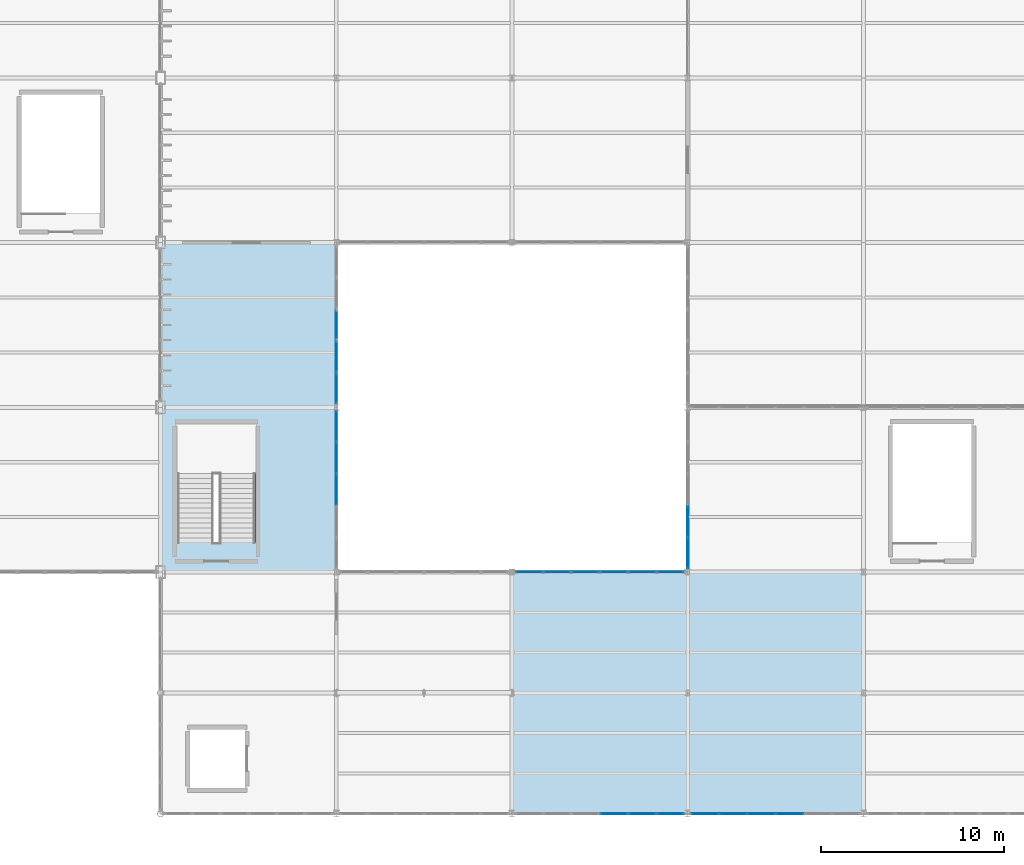
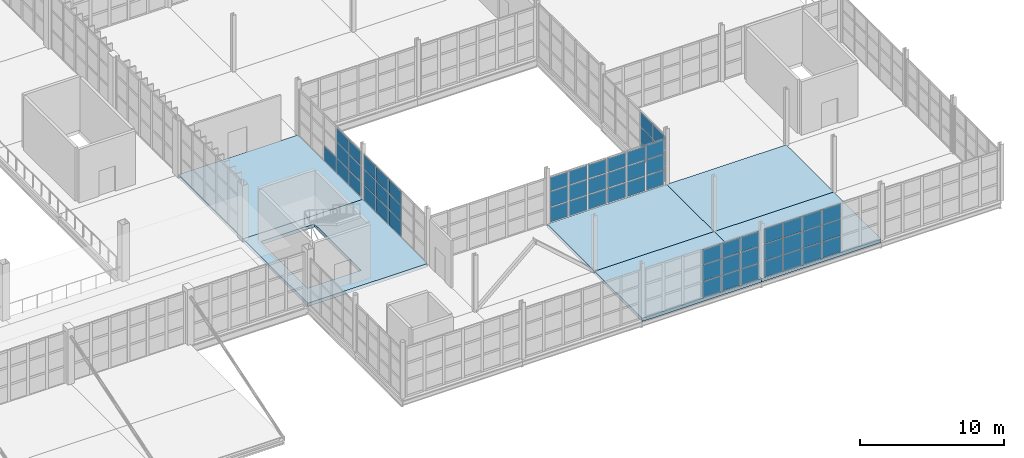
# One storey, part 90 of 120: 61 plates, 6 slabs, 6 elements without a shape of their own.
"""IFC4 building model written with IfcOpenShell, lengths in metres."""

from ifc_helpers import new_model, si_unit, direction, frame, origin, origin_2d, place, context, subcontext, project, spatial, polyline, rectangle, outline, extrude, material, layer, layer_set, type_object, element, aggregate, save


model = new_model("IFC4")

# Units and contexts
model_context = context("Model", 3, precision=1e-05, world=origin(), true_north=direction((0.0, 1.0)))
body_context = subcontext(model_context, "Body", "Model", "MODEL_VIEW")
ifc_project = project(units=[si_unit("LENGTHUNIT", "METRE"), si_unit("AREAUNIT", "SQUARE_METRE"), si_unit("VOLUMEUNIT", "CUBIC_METRE"), si_unit("PLANEANGLEUNIT", "RADIAN"), si_unit("MASSUNIT", "GRAM", prefix="KILO")], contexts=[model_context])

# Site, building, storey
site_placement = place(None, origin())
site = spatial("IfcSite", under=ifc_project, at=site_placement, CompositionType="ELEMENT")
building_placement = place(site_placement, origin())
building = spatial("IfcBuilding", under=site, at=building_placement, Name="Zarnetskaya Central Station", CompositionType="ELEMENT")
storey_placement = place(building_placement, frame((0.0, 0.0, 5.39990234375)))
storey = spatial("IfcBuildingStorey", under=building, at=storey_placement, Name="L01", CompositionType="ELEMENT", Elevation=5.39990234375)

# Curtain wall, plates
ifc_material_1 = material(Name="Low-E insulated glass", Category="glass")
ifc_layer_1 = layer(ifc_material_1, 0.159912109375, Name="Low-E insulated glass", Category="glass")
ifc_layer_set_1 = layer_set([ifc_layer_1], Name="Low-E insulated glass")
curtain_wall_type = type_object("IfcCurtainWallType", Name="CW-SYS-06", PredefinedType="USERDEFINED", material=ifc_layer_set_1)
curtain_wall_1_placement = place(storey_placement, origin())
curtain_wall_1 = element("IfcCurtainWall", 1, at=curtain_wall_1_placement, inside=storey, type_object=curtain_wall_type, Name="Curtain wall CW-L01-132", ObjectType="CURTAIN WALL", PredefinedType="USERDEFINED")
ifc_layer_2 = layer(ifc_material_1, 0.035888671875, Name="Low-E insulated glass", Category="glass")
ifc_layer_set_2 = layer_set([ifc_layer_2], Name="Low-E insulated glass")
plate_type_1 = type_object("IfcPlateType", Name="CW-PAN-36", PredefinedType="CURTAIN_PANEL", material=ifc_layer_set_2)
plate_1_placement = place(storey_placement, frame((134.39990234375, 26.699951171875, 0.080078125), z_axis=(0.0, 0.0, 1.0), x_axis=(0.0, -1.0, 0.0)))
plate_1 = element("IfcPlate", 2, at=plate_1_placement, type_object=plate_type_1, Name="CW-02 panel 3.1", PredefinedType="CURTAIN_PANEL", context=body_context, shape_type="SweptSolid", body=[
    extrude(rectangle(XDim=1.659912109375, YDim=0.035888671875, at=origin_2d()), origin(), (0.0, 0.0, 1.0), 1.237060546875),
])
plate_2_placement = place(storey_placement, frame((134.39990234375, 24.9599609375, 0.080078125), z_axis=(0.0, 0.0, 1.0), x_axis=(0.0, -1.0, 0.0)))
plate_2 = element("IfcPlate", 3, at=plate_2_placement, type_object=plate_type_1, Name="CW-02 panel 4.1", PredefinedType="CURTAIN_PANEL", context=body_context, shape_type="SweptSolid", body=[
    extrude(rectangle(XDim=1.659912109375, YDim=0.035888671875, at=origin_2d()), origin(), (0.0, 0.0, 1.0), 1.237060546875),
])
plate_3_placement = place(storey_placement, frame((134.39990234375, 24.9599609375, 1.397216796875), z_axis=(0.0, 0.0, 1.0), x_axis=(0.0, -1.0, 0.0)))
plate_3 = element("IfcPlate", 4, at=plate_3_placement, type_object=plate_type_1, Name="CW-02 panel 4.2", PredefinedType="CURTAIN_PANEL", context=body_context, shape_type="SweptSolid", body=[
    extrude(rectangle(XDim=1.659912109375, YDim=0.035888671875, at=origin_2d()), origin(), (0.0, 0.0, 1.0), 1.27587890625),
])
plate_4_placement = place(storey_placement, frame((134.39990234375, 24.9599609375, 2.7529296875), z_axis=(0.0, 0.0, 1.0), x_axis=(0.0, -1.0, 0.0)))
plate_4 = element("IfcPlate", 5, at=plate_4_placement, type_object=plate_type_1, Name="CW-02 panel 4.3", PredefinedType="CURTAIN_PANEL", context=body_context, shape_type="SweptSolid", body=[
    extrude(rectangle(XDim=1.659912109375, YDim=0.035888671875, at=origin_2d()), origin(), (0.0, 0.0, 1.0), 1.156982421875),
])
plate_5_placement = place(storey_placement, frame((134.39990234375, 23.239990234375, 0.080078125), z_axis=(0.0, 0.0, 1.0), x_axis=(0.0, -1.0, 0.0)))
plate_5 = element("IfcPlate", 6, at=plate_5_placement, type_object=plate_type_1, Name="CW-02 panel 5.1", PredefinedType="CURTAIN_PANEL", context=body_context, shape_type="SweptSolid", body=[
    extrude(rectangle(XDim=1.6201171875, YDim=0.035888671875, at=origin_2d()), origin(), (0.0, 0.0, 1.0), 1.237060546875),
])
plate_6_placement = place(storey_placement, frame((134.39990234375, 23.239990234375, 1.397216796875), z_axis=(0.0, 0.0, 1.0), x_axis=(0.0, -1.0, 0.0)))
plate_6 = element("IfcPlate", 7, at=plate_6_placement, type_object=plate_type_1, Name="CW-02 panel 5.2", PredefinedType="CURTAIN_PANEL", context=body_context, shape_type="SweptSolid", body=[
    extrude(rectangle(XDim=1.6201171875, YDim=0.035888671875, at=origin_2d()), origin(), (0.0, 0.0, 1.0), 1.27587890625),
])
plate_7_placement = place(storey_placement, frame((134.39990234375, 23.239990234375, 2.7529296875), z_axis=(0.0, 0.0, 1.0), x_axis=(0.0, -1.0, 0.0)))
plate_7 = element("IfcPlate", 8, at=plate_7_placement, type_object=plate_type_1, Name="CW-02 panel 5.3", PredefinedType="CURTAIN_PANEL", context=body_context, shape_type="SweptSolid", body=[
    extrude(rectangle(XDim=1.6201171875, YDim=0.035888671875, at=origin_2d()), origin(), (0.0, 0.0, 1.0), 1.156982421875),
])
aggregate(curtain_wall_1, [plate_1, plate_2, plate_3, plate_4, plate_5, plate_6, plate_7])

curtain_wall_2_placement = place(storey_placement, origin())
curtain_wall_2 = element("IfcCurtainWall", 9, at=curtain_wall_2_placement, inside=storey, type_object=curtain_wall_type, Name="Curtain wall CW-L01-123", ObjectType="CURTAIN WALL", PredefinedType="USERDEFINED")
ifc_layer_3 = layer(ifc_material_1, 0.0400390625, Name="Low-E insulated glass", Category="glass")
ifc_layer_set_3 = layer_set([ifc_layer_3], Name="Low-E insulated glass")
plate_type_2 = type_object("IfcPlateType", Name="CW-PAN-40", PredefinedType="CURTAIN_PANEL", material=ifc_layer_set_3)
plate_8_placement = place(storey_placement, frame((159.175048828125, 0.0, 0.070068359375), z_axis=(0.0, 0.0, 1.0), x_axis=(-1.0, 0.0, 0.0)))
plate_8 = element("IfcPlate", 10, at=plate_8_placement, type_object=plate_type_2, Name="CW-02 panel 3.1", PredefinedType="CURTAIN_PANEL", context=body_context, shape_type="SweptSolid", body=[
    extrude(rectangle(XDim=1.47998046875, YDim=0.0400390625, at=origin_2d()), origin(), (0.0, 0.0, 1.0), 1.330078125),
])
plate_9_placement = place(storey_placement, frame((159.175048828125, 0.0, 1.47021484375), z_axis=(0.0, 0.0, 1.0), x_axis=(-1.0, 0.0, 0.0)))
plate_9 = element("IfcPlate", 11, at=plate_9_placement, type_object=plate_type_2, Name="CW-02 panel 3.2", PredefinedType="CURTAIN_PANEL", context=body_context, shape_type="SweptSolid", body=[
    extrude(rectangle(XDim=1.47998046875, YDim=0.0400390625, at=origin_2d()), origin(), (0.0, 0.0, 1.0), 1.364990234375),
])
plate_10_placement = place(storey_placement, frame((159.175048828125, 0.0, 2.905029296875), z_axis=(0.0, 0.0, 1.0), x_axis=(-1.0, 0.0, 0.0)))
plate_10 = element("IfcPlate", 12, at=plate_10_placement, type_object=plate_type_2, Name="CW-02 panel 3.3", PredefinedType="CURTAIN_PANEL", context=body_context, shape_type="SweptSolid", body=[
    extrude(rectangle(XDim=1.47998046875, YDim=0.0400390625, at=origin_2d()), origin(), (0.0, 0.0, 1.0), 1.2451171875),
])
plate_11_placement = place(storey_placement, frame((157.625, 0.0, 0.070068359375), z_axis=(0.0, 0.0, 1.0), x_axis=(-1.0, 0.0, 0.0)))
plate_11 = element("IfcPlate", 13, at=plate_11_placement, type_object=plate_type_2, Name="CW-02 panel 4.1", PredefinedType="CURTAIN_PANEL", context=body_context, shape_type="SweptSolid", body=[
    extrude(rectangle(XDim=1.47998046875, YDim=0.0400390625, at=origin_2d()), origin(), (0.0, 0.0, 1.0), 1.330078125),
])
plate_12_placement = place(storey_placement, frame((157.625, 0.0, 1.47021484375), z_axis=(0.0, 0.0, 1.0), x_axis=(-1.0, 0.0, 0.0)))
plate_12 = element("IfcPlate", 14, at=plate_12_placement, type_object=plate_type_2, Name="CW-02 panel 4.2", PredefinedType="CURTAIN_PANEL", context=body_context, shape_type="SweptSolid", body=[
    extrude(rectangle(XDim=1.47998046875, YDim=0.0400390625, at=origin_2d()), origin(), (0.0, 0.0, 1.0), 1.364990234375),
])
plate_13_placement = place(storey_placement, frame((157.625, 0.0, 2.905029296875), z_axis=(0.0, 0.0, 1.0), x_axis=(-1.0, 0.0, 0.0)))
plate_13 = element("IfcPlate", 15, at=plate_13_placement, type_object=plate_type_2, Name="CW-02 panel 4.3", PredefinedType="CURTAIN_PANEL", context=body_context, shape_type="SweptSolid", body=[
    extrude(rectangle(XDim=1.47998046875, YDim=0.0400390625, at=origin_2d()), origin(), (0.0, 0.0, 1.0), 1.2451171875),
])
plate_14_placement = place(storey_placement, frame((156.074951171875, 0.0, 0.070068359375), z_axis=(0.0, 0.0, 1.0), x_axis=(-1.0, 0.0, 0.0)))
plate_14 = element("IfcPlate", 16, at=plate_14_placement, type_object=plate_type_2, Name="CW-02 panel 5.1", PredefinedType="CURTAIN_PANEL", context=body_context, shape_type="SweptSolid", body=[
    extrude(rectangle(XDim=1.47998046875, YDim=0.0400390625, at=origin_2d()), origin(), (0.0, 0.0, 1.0), 1.330078125),
])
plate_15_placement = place(storey_placement, frame((156.074951171875, 0.0, 1.47021484375), z_axis=(0.0, 0.0, 1.0), x_axis=(-1.0, 0.0, 0.0)))
plate_15 = element("IfcPlate", 17, at=plate_15_placement, type_object=plate_type_2, Name="CW-02 panel 5.2", PredefinedType="CURTAIN_PANEL", context=body_context, shape_type="SweptSolid", body=[
    extrude(rectangle(XDim=1.47998046875, YDim=0.0400390625, at=origin_2d()), origin(), (0.0, 0.0, 1.0), 1.364990234375),
])
plate_16_placement = place(storey_placement, frame((156.074951171875, 0.0, 2.905029296875), z_axis=(0.0, 0.0, 1.0), x_axis=(-1.0, 0.0, 0.0)))
plate_16 = element("IfcPlate", 18, at=plate_16_placement, type_object=plate_type_2, Name="CW-02 panel 5.3", PredefinedType="CURTAIN_PANEL", context=body_context, shape_type="SweptSolid", body=[
    extrude(rectangle(XDim=1.47998046875, YDim=0.0400390625, at=origin_2d()), origin(), (0.0, 0.0, 1.0), 1.2451171875),
])
plate_17_placement = place(storey_placement, frame((154.54248046875, 0.0, 0.070068359375), z_axis=(0.0, 0.0, 1.0), x_axis=(-1.0, 0.0, 0.0)))
plate_17 = element("IfcPlate", 19, at=plate_17_placement, type_object=plate_type_2, Name="CW-02 panel 6.1", PredefinedType="CURTAIN_PANEL", context=body_context, shape_type="SweptSolid", body=[
    extrude(rectangle(XDim=1.445068359375, YDim=0.0400390625, at=origin_2d()), origin(), (0.0, 0.0, 1.0), 1.330078125),
])
plate_18_placement = place(storey_placement, frame((154.54248046875, 0.0, 1.47021484375), z_axis=(0.0, 0.0, 1.0), x_axis=(-1.0, 0.0, 0.0)))
plate_18 = element("IfcPlate", 20, at=plate_18_placement, type_object=plate_type_2, Name="CW-02 panel 6.2", PredefinedType="CURTAIN_PANEL", context=body_context, shape_type="SweptSolid", body=[
    extrude(rectangle(XDim=1.445068359375, YDim=0.0400390625, at=origin_2d()), origin(), (0.0, 0.0, 1.0), 1.364990234375),
])
plate_19_placement = place(storey_placement, frame((154.54248046875, 0.0, 2.905029296875), z_axis=(0.0, 0.0, 1.0), x_axis=(-1.0, 0.0, 0.0)))
plate_19 = element("IfcPlate", 21, at=plate_19_placement, type_object=plate_type_2, Name="CW-02 panel 6.3", PredefinedType="CURTAIN_PANEL", context=body_context, shape_type="SweptSolid", body=[
    extrude(rectangle(XDim=1.445068359375, YDim=0.0400390625, at=origin_2d()), origin(), (0.0, 0.0, 1.0), 1.2451171875),
])
aggregate(curtain_wall_2, [plate_8, plate_9, plate_10, plate_11, plate_12, plate_13, plate_14, plate_15, plate_16, plate_17, plate_18, plate_19])

curtain_wall_3_placement = place(storey_placement, origin())
curtain_wall_3 = element("IfcCurtainWall", 22, at=curtain_wall_3_placement, inside=storey, type_object=curtain_wall_type, Name="Curtain wall CW-L01-128", ObjectType="CURTAIN WALL", PredefinedType="USERDEFINED")
plate_20_placement = place(storey_placement, frame((144.945068359375, 13.199951171875, 0.080078125), z_axis=(0.0, 0.0, 1.0), x_axis=(1.0, 0.0, 0.0)))
plate_20 = element("IfcPlate", 23, at=plate_20_placement, type_object=plate_type_2, Name="CW-02 panel 1.1", PredefinedType="CURTAIN_PANEL", context=body_context, shape_type="SweptSolid", body=[
    extrude(rectangle(XDim=1.429931640625, YDim=0.0400390625, at=origin_2d()), origin(), (0.0, 0.0, 1.0), 1.219970703125),
])
plate_21_placement = place(storey_placement, frame((144.945068359375, 13.199951171875, 1.3798828125), z_axis=(0.0, 0.0, 1.0), x_axis=(1.0, 0.0, 0.0)))
plate_21 = element("IfcPlate", 24, at=plate_21_placement, type_object=plate_type_2, Name="CW-02 panel 1.2", PredefinedType="CURTAIN_PANEL", context=body_context, shape_type="SweptSolid", body=[
    extrude(rectangle(XDim=1.429931640625, YDim=0.0400390625, at=origin_2d()), origin(), (0.0, 0.0, 1.0), 1.259033203125),
])
plate_22_placement = place(storey_placement, frame((144.945068359375, 13.199951171875, 2.718994140625), z_axis=(0.0, 0.0, 1.0), x_axis=(1.0, 0.0, 0.0)))
plate_22 = element("IfcPlate", 25, at=plate_22_placement, type_object=plate_type_2, Name="CW-02 panel 1.3", PredefinedType="CURTAIN_PANEL", context=body_context, shape_type="SweptSolid", body=[
    extrude(rectangle(XDim=1.429931640625, YDim=0.0400390625, at=origin_2d()), origin(), (0.0, 0.0, 1.0), 1.14111328125),
])
plate_23_placement = place(storey_placement, frame((146.47509765625, 13.199951171875, 0.080078125), z_axis=(0.0, 0.0, 1.0), x_axis=(1.0, 0.0, 0.0)))
plate_23 = element("IfcPlate", 26, at=plate_23_placement, type_object=plate_type_2, Name="CW-02 panel 2.1", PredefinedType="CURTAIN_PANEL", context=body_context, shape_type="SweptSolid", body=[
    extrude(rectangle(XDim=1.469970703125, YDim=0.0400390625, at=origin_2d()), origin(), (0.0, 0.0, 1.0), 1.219970703125),
])
plate_24_placement = place(storey_placement, frame((146.47509765625, 13.199951171875, 1.3798828125), z_axis=(0.0, 0.0, 1.0), x_axis=(1.0, 0.0, 0.0)))
plate_24 = element("IfcPlate", 27, at=plate_24_placement, type_object=plate_type_2, Name="CW-02 panel 2.2", PredefinedType="CURTAIN_PANEL", context=body_context, shape_type="SweptSolid", body=[
    extrude(rectangle(XDim=1.469970703125, YDim=0.0400390625, at=origin_2d()), origin(), (0.0, 0.0, 1.0), 1.259033203125),
])
plate_25_placement = place(storey_placement, frame((146.47509765625, 13.199951171875, 2.718994140625), z_axis=(0.0, 0.0, 1.0), x_axis=(1.0, 0.0, 0.0)))
plate_25 = element("IfcPlate", 28, at=plate_25_placement, type_object=plate_type_2, Name="CW-02 panel 2.3", PredefinedType="CURTAIN_PANEL", context=body_context, shape_type="SweptSolid", body=[
    extrude(rectangle(XDim=1.469970703125, YDim=0.0400390625, at=origin_2d()), origin(), (0.0, 0.0, 1.0), 1.14111328125),
])
plate_26_placement = place(storey_placement, frame((148.02490234375, 13.199951171875, 0.080078125), z_axis=(0.0, 0.0, 1.0), x_axis=(1.0, 0.0, 0.0)))
plate_26 = element("IfcPlate", 29, at=plate_26_placement, type_object=plate_type_2, Name="CW-02 panel 3.1", PredefinedType="CURTAIN_PANEL", context=body_context, shape_type="SweptSolid", body=[
    extrude(rectangle(XDim=1.469970703125, YDim=0.0400390625, at=origin_2d()), origin(), (0.0, 0.0, 1.0), 1.219970703125),
])
plate_27_placement = place(storey_placement, frame((148.02490234375, 13.199951171875, 1.3798828125), z_axis=(0.0, 0.0, 1.0), x_axis=(1.0, 0.0, 0.0)))
plate_27 = element("IfcPlate", 30, at=plate_27_placement, type_object=plate_type_2, Name="CW-02 panel 3.2", PredefinedType="CURTAIN_PANEL", context=body_context, shape_type="SweptSolid", body=[
    extrude(rectangle(XDim=1.469970703125, YDim=0.0400390625, at=origin_2d()), origin(), (0.0, 0.0, 1.0), 1.259033203125),
])
plate_28_placement = place(storey_placement, frame((148.02490234375, 13.199951171875, 2.718994140625), z_axis=(0.0, 0.0, 1.0), x_axis=(1.0, 0.0, 0.0)))
plate_28 = element("IfcPlate", 31, at=plate_28_placement, type_object=plate_type_2, Name="CW-02 panel 3.3", PredefinedType="CURTAIN_PANEL", context=body_context, shape_type="SweptSolid", body=[
    extrude(rectangle(XDim=1.469970703125, YDim=0.0400390625, at=origin_2d()), origin(), (0.0, 0.0, 1.0), 1.14111328125),
])
plate_29_placement = place(storey_placement, frame((149.574951171875, 13.199951171875, 0.080078125), z_axis=(0.0, 0.0, 1.0), x_axis=(1.0, 0.0, 0.0)))
plate_29 = element("IfcPlate", 32, at=plate_29_placement, type_object=plate_type_2, Name="CW-02 panel 4.1", PredefinedType="CURTAIN_PANEL", context=body_context, shape_type="SweptSolid", body=[
    extrude(rectangle(XDim=1.469970703125, YDim=0.0400390625, at=origin_2d()), origin(), (0.0, 0.0, 1.0), 1.219970703125),
])
plate_30_placement = place(storey_placement, frame((149.574951171875, 13.199951171875, 1.3798828125), z_axis=(0.0, 0.0, 1.0), x_axis=(1.0, 0.0, 0.0)))
plate_30 = element("IfcPlate", 33, at=plate_30_placement, type_object=plate_type_2, Name="CW-02 panel 4.2", PredefinedType="CURTAIN_PANEL", context=body_context, shape_type="SweptSolid", body=[
    extrude(rectangle(XDim=1.469970703125, YDim=0.0400390625, at=origin_2d()), origin(), (0.0, 0.0, 1.0), 1.259033203125),
])
plate_31_placement = place(storey_placement, frame((149.574951171875, 13.199951171875, 2.718994140625), z_axis=(0.0, 0.0, 1.0), x_axis=(1.0, 0.0, 0.0)))
plate_31 = element("IfcPlate", 34, at=plate_31_placement, type_object=plate_type_2, Name="CW-02 panel 4.3", PredefinedType="CURTAIN_PANEL", context=body_context, shape_type="SweptSolid", body=[
    extrude(rectangle(XDim=1.469970703125, YDim=0.0400390625, at=origin_2d()), origin(), (0.0, 0.0, 1.0), 1.14111328125),
])
plate_32_placement = place(storey_placement, frame((151.125, 13.199951171875, 0.080078125), z_axis=(0.0, 0.0, 1.0), x_axis=(1.0, 0.0, 0.0)))
plate_32 = element("IfcPlate", 35, at=plate_32_placement, type_object=plate_type_2, Name="CW-02 panel 5.1", PredefinedType="CURTAIN_PANEL", context=body_context, shape_type="SweptSolid", body=[
    extrude(rectangle(XDim=1.469970703125, YDim=0.0400390625, at=origin_2d()), origin(), (0.0, 0.0, 1.0), 1.219970703125),
])
plate_33_placement = place(storey_placement, frame((151.125, 13.199951171875, 1.3798828125), z_axis=(0.0, 0.0, 1.0), x_axis=(1.0, 0.0, 0.0)))
plate_33 = element("IfcPlate", 36, at=plate_33_placement, type_object=plate_type_2, Name="CW-02 panel 5.2", PredefinedType="CURTAIN_PANEL", context=body_context, shape_type="SweptSolid", body=[
    extrude(rectangle(XDim=1.469970703125, YDim=0.0400390625, at=origin_2d()), origin(), (0.0, 0.0, 1.0), 1.259033203125),
])
plate_34_placement = place(storey_placement, frame((151.125, 13.199951171875, 2.718994140625), z_axis=(0.0, 0.0, 1.0), x_axis=(1.0, 0.0, 0.0)))
plate_34 = element("IfcPlate", 37, at=plate_34_placement, type_object=plate_type_2, Name="CW-02 panel 5.3", PredefinedType="CURTAIN_PANEL", context=body_context, shape_type="SweptSolid", body=[
    extrude(rectangle(XDim=1.469970703125, YDim=0.0400390625, at=origin_2d()), origin(), (0.0, 0.0, 1.0), 1.14111328125),
])
plate_35_placement = place(storey_placement, frame((152.655029296875, 13.199951171875, 0.080078125), z_axis=(0.0, 0.0, 1.0), x_axis=(1.0, 0.0, 0.0)))
plate_35 = element("IfcPlate", 38, at=plate_35_placement, type_object=plate_type_2, Name="CW-02 panel 6.1", PredefinedType="CURTAIN_PANEL", context=body_context, shape_type="SweptSolid", body=[
    extrude(rectangle(XDim=1.429931640625, YDim=0.0400390625, at=origin_2d()), origin(), (0.0, 0.0, 1.0), 1.219970703125),
])
plate_36_placement = place(storey_placement, frame((152.655029296875, 13.199951171875, 1.3798828125), z_axis=(0.0, 0.0, 1.0), x_axis=(1.0, 0.0, 0.0)))
plate_36 = element("IfcPlate", 39, at=plate_36_placement, type_object=plate_type_2, Name="CW-02 panel 6.2", PredefinedType="CURTAIN_PANEL", context=body_context, shape_type="SweptSolid", body=[
    extrude(rectangle(XDim=1.429931640625, YDim=0.0400390625, at=origin_2d()), origin(), (0.0, 0.0, 1.0), 1.259033203125),
])
plate_37_placement = place(storey_placement, frame((152.655029296875, 13.199951171875, 2.718994140625), z_axis=(0.0, 0.0, 1.0), x_axis=(1.0, 0.0, 0.0)))
plate_37 = element("IfcPlate", 40, at=plate_37_placement, type_object=plate_type_2, Name="CW-02 panel 6.3", PredefinedType="CURTAIN_PANEL", context=body_context, shape_type="SweptSolid", body=[
    extrude(rectangle(XDim=1.429931640625, YDim=0.0400390625, at=origin_2d()), origin(), (0.0, 0.0, 1.0), 1.14111328125),
])
aggregate(curtain_wall_3, [plate_20, plate_21, plate_22, plate_23, plate_24, plate_25, plate_26, plate_27, plate_28, plate_29, plate_30, plate_31, plate_32, plate_33, plate_34, plate_35, plate_36, plate_37])

curtain_wall_4_placement = place(storey_placement, origin())
curtain_wall_4 = element("IfcCurtainWall", 41, at=curtain_wall_4_placement, inside=storey, type_object=curtain_wall_type, Name="Curtain wall CW-L01-133", ObjectType="CURTAIN WALL", PredefinedType="USERDEFINED")
plate_38_placement = place(storey_placement, frame((134.39990234375, 21.16259765625, 0.070068359375), z_axis=(0.0, 0.0, 1.0), x_axis=(0.0, -1.0, 0.0)))
plate_38 = element("IfcPlate", 42, at=plate_38_placement, type_object=plate_type_2, Name="CW-02 panel 1.1", PredefinedType="CURTAIN_PANEL", context=body_context, shape_type="SweptSolid", body=[
    extrude(rectangle(XDim=1.635009765625, YDim=0.0400390625, at=origin_2d()), origin(), (0.0, 0.0, 1.0), 1.251953125),
])
plate_39_placement = place(storey_placement, frame((134.39990234375, 21.16259765625, 1.39208984375), z_axis=(0.0, 0.0, 1.0), x_axis=(0.0, -1.0, 0.0)))
plate_39 = element("IfcPlate", 43, at=plate_39_placement, type_object=plate_type_2, Name="CW-02 panel 1.2", PredefinedType="CURTAIN_PANEL", context=body_context, shape_type="SweptSolid", body=[
    extrude(rectangle(XDim=1.635009765625, YDim=0.0400390625, at=origin_2d()), origin(), (0.0, 0.0, 1.0), 1.285888671875),
])
plate_40_placement = place(storey_placement, frame((134.39990234375, 21.16259765625, 2.748046875), z_axis=(0.0, 0.0, 1.0), x_axis=(0.0, -1.0, 0.0)))
plate_40 = element("IfcPlate", 44, at=plate_40_placement, type_object=plate_type_2, Name="CW-02 panel 1.3", PredefinedType="CURTAIN_PANEL", context=body_context, shape_type="SweptSolid", body=[
    extrude(rectangle(XDim=1.635009765625, YDim=0.0400390625, at=origin_2d()), origin(), (0.0, 0.0, 1.0), 1.172119140625),
])
plate_41_placement = place(storey_placement, frame((134.39990234375, 19.43994140625, 0.070068359375), z_axis=(0.0, 0.0, 1.0), x_axis=(0.0, -1.0, 0.0)))
plate_41 = element("IfcPlate", 45, at=plate_41_placement, type_object=plate_type_2, Name="CW-02 panel 2.1", PredefinedType="CURTAIN_PANEL", context=body_context, shape_type="SweptSolid", body=[
    extrude(rectangle(XDim=1.669921875, YDim=0.0400390625, at=origin_2d()), origin(), (0.0, 0.0, 1.0), 1.251953125),
])
plate_42_placement = place(storey_placement, frame((134.39990234375, 19.43994140625, 1.39208984375), z_axis=(0.0, 0.0, 1.0), x_axis=(0.0, -1.0, 0.0)))
plate_42 = element("IfcPlate", 46, at=plate_42_placement, type_object=plate_type_2, Name="CW-02 panel 2.2", PredefinedType="CURTAIN_PANEL", context=body_context, shape_type="SweptSolid", body=[
    extrude(rectangle(XDim=1.669921875, YDim=0.0400390625, at=origin_2d()), origin(), (0.0, 0.0, 1.0), 1.285888671875),
])
plate_43_placement = place(storey_placement, frame((134.39990234375, 19.43994140625, 2.748046875), z_axis=(0.0, 0.0, 1.0), x_axis=(0.0, -1.0, 0.0)))
plate_43 = element("IfcPlate", 47, at=plate_43_placement, type_object=plate_type_2, Name="CW-02 panel 2.3", PredefinedType="CURTAIN_PANEL", context=body_context, shape_type="SweptSolid", body=[
    extrude(rectangle(XDim=1.669921875, YDim=0.0400390625, at=origin_2d()), origin(), (0.0, 0.0, 1.0), 1.172119140625),
])
plate_44_placement = place(storey_placement, frame((134.39990234375, 17.699951171875, 0.070068359375), z_axis=(0.0, 0.0, 1.0), x_axis=(0.0, -1.0, 0.0)))
plate_44 = element("IfcPlate", 48, at=plate_44_placement, type_object=plate_type_2, Name="CW-02 panel 3.1", PredefinedType="CURTAIN_PANEL", context=body_context, shape_type="SweptSolid", body=[
    extrude(rectangle(XDim=1.669921875, YDim=0.0400390625, at=origin_2d()), origin(), (0.0, 0.0, 1.0), 1.251953125),
])
plate_45_placement = place(storey_placement, frame((134.39990234375, 17.699951171875, 1.39208984375), z_axis=(0.0, 0.0, 1.0), x_axis=(0.0, -1.0, 0.0)))
plate_45 = element("IfcPlate", 49, at=plate_45_placement, type_object=plate_type_2, Name="CW-02 panel 3.2", PredefinedType="CURTAIN_PANEL", context=body_context, shape_type="SweptSolid", body=[
    extrude(rectangle(XDim=1.669921875, YDim=0.0400390625, at=origin_2d()), origin(), (0.0, 0.0, 1.0), 1.285888671875),
])
plate_46_placement = place(storey_placement, frame((134.39990234375, 17.699951171875, 2.748046875), z_axis=(0.0, 0.0, 1.0), x_axis=(0.0, -1.0, 0.0)))
plate_46 = element("IfcPlate", 50, at=plate_46_placement, type_object=plate_type_2, Name="CW-02 panel 3.3", PredefinedType="CURTAIN_PANEL", context=body_context, shape_type="SweptSolid", body=[
    extrude(rectangle(XDim=1.669921875, YDim=0.0400390625, at=origin_2d()), origin(), (0.0, 0.0, 1.0), 1.172119140625),
])
aggregate(curtain_wall_4, [plate_38, plate_39, plate_40, plate_41, plate_42, plate_43, plate_44, plate_45, plate_46])

curtain_wall_5_placement = place(storey_placement, origin())
curtain_wall_5 = element("IfcCurtainWall", 51, at=curtain_wall_5_placement, inside=storey, type_object=curtain_wall_type, Name="Curtain wall CW-L01-124", ObjectType="CURTAIN WALL", PredefinedType="USERDEFINED")
ifc_layer_4 = layer(ifc_material_1, 0.0439453125, Name="Low-E insulated glass", Category="glass")
ifc_layer_set_4 = layer_set([ifc_layer_4], Name="Low-E insulated glass")
plate_type_3 = type_object("IfcPlateType", Name="CW-PAN-44", PredefinedType="CURTAIN_PANEL", material=ifc_layer_set_4)
plate_47_placement = place(storey_placement, frame((152.655029296875, 0.0, 0.080078125), z_axis=(0.0, 0.0, 1.0), x_axis=(-1.0, 0.0, 0.0)))
plate_47 = element("IfcPlate", 52, at=plate_47_placement, type_object=plate_type_3, Name="CW-02 panel 1.1", PredefinedType="CURTAIN_PANEL", context=body_context, shape_type="SweptSolid", body=[
    extrude(rectangle(XDim=1.429931640625, YDim=0.0439453125, at=origin_2d()), origin(), (0.0, 0.0, 1.0), 1.301025390625),
])
plate_48_placement = place(storey_placement, frame((152.655029296875, 0.0, 1.4609375), z_axis=(0.0, 0.0, 1.0), x_axis=(-1.0, 0.0, 0.0)))
plate_48 = element("IfcPlate", 53, at=plate_48_placement, type_object=plate_type_3, Name="CW-02 panel 1.2", PredefinedType="CURTAIN_PANEL", context=body_context, shape_type="SweptSolid", body=[
    extrude(rectangle(XDim=1.429931640625, YDim=0.0439453125, at=origin_2d()), origin(), (0.0, 0.0, 1.0), 1.341064453125),
])
plate_49_placement = place(storey_placement, frame((152.655029296875, 0.0, 2.88232421875), z_axis=(0.0, 0.0, 1.0), x_axis=(-1.0, 0.0, 0.0)))
plate_49 = element("IfcPlate", 54, at=plate_49_placement, type_object=plate_type_3, Name="CW-02 panel 1.3", PredefinedType="CURTAIN_PANEL", context=body_context, shape_type="SweptSolid", body=[
    extrude(rectangle(XDim=1.429931640625, YDim=0.0439453125, at=origin_2d()), origin(), (0.0, 0.0, 1.0), 1.218017578125),
])
plate_50_placement = place(storey_placement, frame((151.125, 0.0, 0.080078125), z_axis=(0.0, 0.0, 1.0), x_axis=(-1.0, 0.0, 0.0)))
plate_50 = element("IfcPlate", 55, at=plate_50_placement, type_object=plate_type_3, Name="CW-02 panel 2.1", PredefinedType="CURTAIN_PANEL", context=body_context, shape_type="SweptSolid", body=[
    extrude(rectangle(XDim=1.469970703125, YDim=0.0439453125, at=origin_2d()), origin(), (0.0, 0.0, 1.0), 1.301025390625),
])
plate_51_placement = place(storey_placement, frame((151.125, 0.0, 1.4609375), z_axis=(0.0, 0.0, 1.0), x_axis=(-1.0, 0.0, 0.0)))
plate_51 = element("IfcPlate", 56, at=plate_51_placement, type_object=plate_type_3, Name="CW-02 panel 2.2", PredefinedType="CURTAIN_PANEL", context=body_context, shape_type="SweptSolid", body=[
    extrude(rectangle(XDim=1.469970703125, YDim=0.0439453125, at=origin_2d()), origin(), (0.0, 0.0, 1.0), 1.341064453125),
])
plate_52_placement = place(storey_placement, frame((151.125, 0.0, 2.88232421875), z_axis=(0.0, 0.0, 1.0), x_axis=(-1.0, 0.0, 0.0)))
plate_52 = element("IfcPlate", 57, at=plate_52_placement, type_object=plate_type_3, Name="CW-02 panel 2.3", PredefinedType="CURTAIN_PANEL", context=body_context, shape_type="SweptSolid", body=[
    extrude(rectangle(XDim=1.469970703125, YDim=0.0439453125, at=origin_2d()), origin(), (0.0, 0.0, 1.0), 1.218017578125),
])
plate_53_placement = place(storey_placement, frame((149.574951171875, 0.0, 0.080078125), z_axis=(0.0, 0.0, 1.0), x_axis=(-1.0, 0.0, 0.0)))
plate_53 = element("IfcPlate", 58, at=plate_53_placement, type_object=plate_type_3, Name="CW-02 panel 3.1", PredefinedType="CURTAIN_PANEL", context=body_context, shape_type="SweptSolid", body=[
    extrude(rectangle(XDim=1.469970703125, YDim=0.0439453125, at=origin_2d()), origin(), (0.0, 0.0, 1.0), 1.301025390625),
])
plate_54_placement = place(storey_placement, frame((149.574951171875, 0.0, 1.4609375), z_axis=(0.0, 0.0, 1.0), x_axis=(-1.0, 0.0, 0.0)))
plate_54 = element("IfcPlate", 59, at=plate_54_placement, type_object=plate_type_3, Name="CW-02 panel 3.2", PredefinedType="CURTAIN_PANEL", context=body_context, shape_type="SweptSolid", body=[
    extrude(rectangle(XDim=1.469970703125, YDim=0.0439453125, at=origin_2d()), origin(), (0.0, 0.0, 1.0), 1.341064453125),
])
plate_55_placement = place(storey_placement, frame((149.574951171875, 0.0, 2.88232421875), z_axis=(0.0, 0.0, 1.0), x_axis=(-1.0, 0.0, 0.0)))
plate_55 = element("IfcPlate", 60, at=plate_55_placement, type_object=plate_type_3, Name="CW-02 panel 3.3", PredefinedType="CURTAIN_PANEL", context=body_context, shape_type="SweptSolid", body=[
    extrude(rectangle(XDim=1.469970703125, YDim=0.0439453125, at=origin_2d()), origin(), (0.0, 0.0, 1.0), 1.218017578125),
])
aggregate(curtain_wall_5, [plate_47, plate_48, plate_49, plate_50, plate_51, plate_52, plate_53, plate_54, plate_55])

curtain_wall_6_placement = place(storey_placement, origin())
curtain_wall_6 = element("IfcCurtainWall", 61, at=curtain_wall_6_placement, inside=storey, type_object=curtain_wall_type, Name="Curtain wall CW-L01-129", ObjectType="CURTAIN WALL", PredefinedType="USERDEFINED")
plate_56_placement = place(storey_placement, frame((153.60009765625, 14.237548828125, 0.0703125), z_axis=(0.0, 0.0, 1.0), x_axis=(0.0, 1.0, 0.0)))
plate_56 = element("IfcPlate", 62, at=plate_56_placement, type_object=plate_type_3, Name="CW-02 panel 1.1", PredefinedType="CURTAIN_PANEL", context=body_context, shape_type="SweptSolid", body=[
    extrude(rectangle(XDim=1.635009765625, YDim=0.0439453125, at=origin_2d()), origin(), (0.0, 0.0, 1.0), 1.264892578125),
])
plate_57_placement = place(storey_placement, frame((153.60009765625, 14.237548828125, 1.4052734375), z_axis=(0.0, 0.0, 1.0), x_axis=(0.0, 1.0, 0.0)))
plate_57 = element("IfcPlate", 63, at=plate_57_placement, type_object=plate_type_3, Name="CW-02 panel 1.2", PredefinedType="CURTAIN_PANEL", context=body_context, shape_type="SweptSolid", body=[
    extrude(rectangle(XDim=1.635009765625, YDim=0.0439453125, at=origin_2d()), origin(), (0.0, 0.0, 1.0), 1.300048828125),
])
plate_58_placement = place(storey_placement, frame((153.60009765625, 14.237548828125, 2.775146484375), z_axis=(0.0, 0.0, 1.0), x_axis=(0.0, 1.0, 0.0)))
plate_58 = element("IfcPlate", 64, at=plate_58_placement, type_object=plate_type_3, Name="CW-02 panel 1.3", PredefinedType="CURTAIN_PANEL", context=body_context, shape_type="SweptSolid", body=[
    extrude(rectangle(XDim=1.635009765625, YDim=0.0439453125, at=origin_2d()), origin(), (0.0, 0.0, 1.0), 1.18505859375),
])
plate_59_placement = place(storey_placement, frame((153.60009765625, 15.9599609375, 0.0703125), z_axis=(0.0, 0.0, 1.0), x_axis=(0.0, 1.0, 0.0)))
plate_59 = element("IfcPlate", 65, at=plate_59_placement, type_object=plate_type_3, Name="CW-02 panel 2.1", PredefinedType="CURTAIN_PANEL", context=body_context, shape_type="SweptSolid", body=[
    extrude(rectangle(XDim=1.669921875, YDim=0.0439453125, at=origin_2d()), origin(), (0.0, 0.0, 1.0), 1.264892578125),
])
plate_60_placement = place(storey_placement, frame((153.60009765625, 15.9599609375, 1.4052734375), z_axis=(0.0, 0.0, 1.0), x_axis=(0.0, 1.0, 0.0)))
plate_60 = element("IfcPlate", 66, at=plate_60_placement, type_object=plate_type_3, Name="CW-02 panel 2.2", PredefinedType="CURTAIN_PANEL", context=body_context, shape_type="SweptSolid", body=[
    extrude(rectangle(XDim=1.669921875, YDim=0.0439453125, at=origin_2d()), origin(), (0.0, 0.0, 1.0), 1.300048828125),
])
plate_61_placement = place(storey_placement, frame((153.60009765625, 15.9599609375, 2.775146484375), z_axis=(0.0, 0.0, 1.0), x_axis=(0.0, 1.0, 0.0)))
plate_61 = element("IfcPlate", 67, at=plate_61_placement, type_object=plate_type_3, Name="CW-02 panel 2.3", PredefinedType="CURTAIN_PANEL", context=body_context, shape_type="SweptSolid", body=[
    extrude(rectangle(XDim=1.669921875, YDim=0.0439453125, at=origin_2d()), origin(), (0.0, 0.0, 1.0), 1.18505859375),
])
aggregate(curtain_wall_6, [plate_56, plate_57, plate_58, plate_59, plate_60, plate_61])

# Slabs
ifc_material_2 = material(Name="Concrete C30/37", Category="concrete")
ifc_layer_5 = layer(ifc_material_2, 0.280029296875, Name="Concrete C30/37", Category="concrete")
ifc_layer_set_5 = layer_set([ifc_layer_5], Name="Concrete C30/37")
slab_type = type_object("IfcSlabType", Name="SLAB-BRG-280", PredefinedType="FLOOR", material=ifc_layer_set_5)
slab_1_placement = place(storey_placement, frame((0.0, 0.0, -0.27978515625)))
element("IfcSlab", 68, at=slab_1_placement, inside=storey, type_object=slab_type, Name="L01 slab P-Q/3-4", PredefinedType="FLOOR", context=body_context, shape_type="SweptSolid", body=[
    extrude(outline(polyline([(124.800048828125, 13.199951171875), (134.39990234375, 13.199951171875), (134.39990234375, 22.199951171875), (124.800048828125, 22.199951171875), (124.800048828125, 13.199951171875)]), holes=[polyline([(125.699951171875, 14.804931640625), (130.0, 14.804931640625), (130.0, 21.300048828125), (125.699951171875, 21.300048828125), (125.699951171875, 14.804931640625)])]), origin(), (0.0, 0.0, 1.0), 0.27978515625),
])
slab_2_placement = place(storey_placement, frame((0.0, 0.0, -0.27978515625)))
element("IfcSlab", 69, at=slab_2_placement, inside=storey, type_object=slab_type, Name="L01 slab P-Q/4-5", PredefinedType="FLOOR", context=body_context, shape_type="SweptSolid", body=[
    extrude(outline(polyline([(124.800048828125, 22.199951171875), (134.39990234375, 22.199951171875), (134.39990234375, 31.199951171875), (124.800048828125, 31.199951171875), (124.800048828125, 22.199951171875)])), origin(), (0.0, 0.0, 1.0), 0.27978515625),
])
slab_3_placement = place(storey_placement, frame((0.0, 0.0, -0.27978515625)))
element("IfcSlab", 70, at=slab_3_placement, inside=storey, type_object=slab_type, Name="L01 slab R-S/1-2", PredefinedType="FLOOR", context=body_context, shape_type="SweptSolid", body=[
    extrude(outline(polyline([(144.0, 0.0), (153.60009765625, 0.0), (153.60009765625, 6.60009765625), (144.0, 6.60009765625), (144.0, 0.0)])), origin(), (0.0, 0.0, 1.0), 0.27978515625),
])
slab_4_placement = place(storey_placement, frame((0.0, 0.0, -0.27978515625)))
element("IfcSlab", 71, at=slab_4_placement, inside=storey, type_object=slab_type, Name="L01 slab R-S/2-3", PredefinedType="FLOOR", context=body_context, shape_type="SweptSolid", body=[
    extrude(outline(polyline([(144.0, 6.60009765625), (153.60009765625, 6.60009765625), (153.60009765625, 13.199951171875), (144.0, 13.199951171875), (144.0, 6.60009765625)])), origin(), (0.0, 0.0, 1.0), 0.27978515625),
])
slab_5_placement = place(storey_placement, frame((0.0, 0.0, -0.27978515625)))
element("IfcSlab", 72, at=slab_5_placement, inside=storey, type_object=slab_type, Name="L01 slab S-T/1-2", PredefinedType="FLOOR", context=body_context, shape_type="SweptSolid", body=[
    extrude(outline(polyline([(153.60009765625, 0.0), (163.199951171875, 0.0), (163.199951171875, 6.60009765625), (153.60009765625, 6.60009765625), (153.60009765625, 0.0)])), origin(), (0.0, 0.0, 1.0), 0.27978515625),
])
slab_6_placement = place(storey_placement, frame((0.0, 0.0, -0.27978515625)))
element("IfcSlab", 73, at=slab_6_placement, inside=storey, type_object=slab_type, Name="L01 slab S-T/2-3", PredefinedType="FLOOR", context=body_context, shape_type="SweptSolid", body=[
    extrude(outline(polyline([(153.60009765625, 6.60009765625), (163.199951171875, 6.60009765625), (163.199951171875, 13.199951171875), (153.60009765625, 13.199951171875), (153.60009765625, 6.60009765625)])), origin(), (0.0, 0.0, 1.0), 0.27978515625),
])

save(model, "model.ifc")
